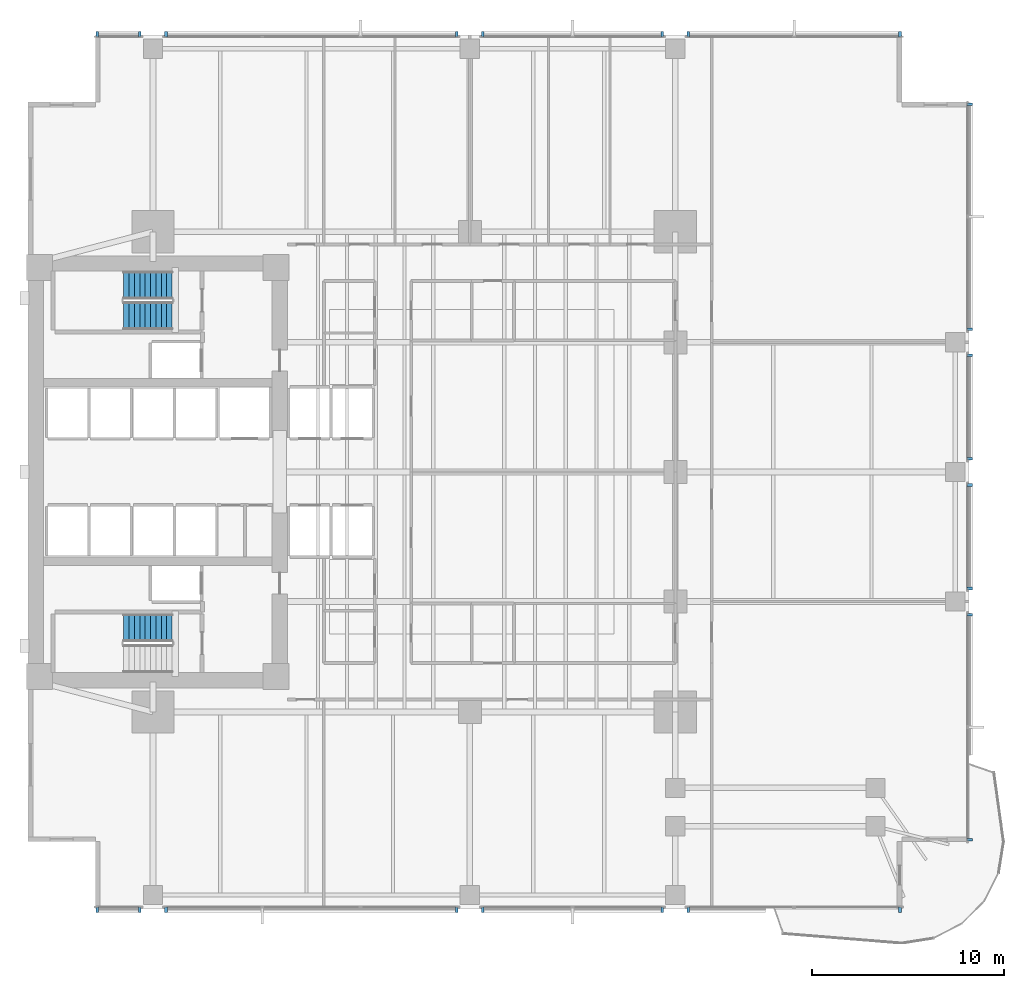
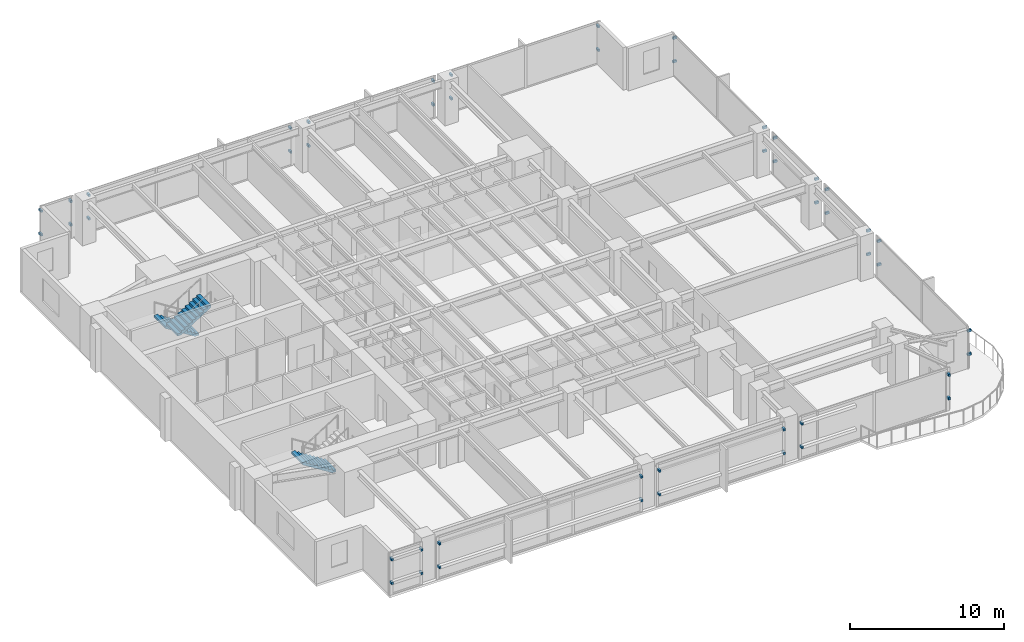
# One storey, part 11 of 15: 48 discrete accessories, 3 stair flights, 2 elements without a shape of their own.
"""IFC4 building model written with IfcOpenShell, lengths in metres."""

from ifc_helpers import new_model, si_unit, direction, frame, origin, origin_2d, place, context, subcontext, project, spatial, polyline, rectangle, outline, extrude, material, type_object, element, aggregate, save


model = new_model("IFC4")

# Units and contexts
model_context = context("Model", 3, precision=1e-05, world=origin(), true_north=direction((0.0, 1.0)))
body_context = subcontext(model_context, "Body", "Model", "MODEL_VIEW")
ifc_project = project(units=[si_unit("LENGTHUNIT", "METRE"), si_unit("AREAUNIT", "SQUARE_METRE"), si_unit("VOLUMEUNIT", "CUBIC_METRE"), si_unit("PLANEANGLEUNIT", "RADIAN"), si_unit("MASSUNIT", "GRAM", prefix="KILO")], contexts=[model_context])

# Site, building, storey
site_placement = place(None, origin())
site = spatial("IfcSite", under=ifc_project, at=site_placement, CompositionType="ELEMENT")
building_placement = place(site_placement, origin())
building = spatial("IfcBuilding", under=site, at=building_placement, Name="Kinhvarn Gate Tower", CompositionType="ELEMENT")
storey_placement = place(building_placement, frame((0.0, 0.0, 50.449951171875)))
storey = spatial("IfcBuildingStorey", under=building, at=storey_placement, Name="L12", CompositionType="ELEMENT", Elevation=50.449951171875)

# Stair, stair flight
ifc_material_1 = material(Name="Concrete C40/50", Category="concrete")
stair_type = type_object("IfcStairType", Name="STR-DLG-177", PredefinedType="HALF_TURN_STAIR", material=ifc_material_1)
stair_1_placement = place(storey_placement, origin())
stair_1 = element("IfcStair", 1, at=stair_1_placement, inside=storey, type_object=stair_type, Name="L12 Core Smokeproof Exit Stair ST1", PredefinedType="HALF_TURN_STAIR")
stair_flight_type = type_object("IfcStairFlightType", Name="STF-DLG-177", PredefinedType="STRAIGHT", material=ifc_material_1)
stair_flight_1_placement = place(storey_placement, frame((12.0, 17.125, 0.0), z_axis=(0.0, 0.0, 1.0), x_axis=(-1.0, 0.0, 0.0)))
stair_flight_1 = element("IfcStairFlight", 2, at=stair_flight_1_placement, type_object=stair_flight_type, Name="ST1 flight 1", NumberOfRisers=10, NumberOfTreads=9, PredefinedType="STRAIGHT", RiserHeight=0.1775, TreadLength=0.28, context=body_context, shape_type="SweptSolid", body=[
    extrude(outline(polyline([(0.0, 0.0), (0.0, 0.177490234375), (0.280029296875, 0.177490234375), (0.280029296875, 0.35498046875), (0.56005859375, 0.35498046875), (0.56005859375, 0.532470703125), (0.840087890625, 0.532470703125), (0.840087890625, 0.7099609375), (1.1201171875, 0.7099609375), (1.1201171875, 0.887451171875), (1.39990234375, 0.887451171875), (1.39990234375, 1.06494140625), (1.679931640625, 1.06494140625), (1.679931640625, 1.242431640625), (1.9599609375, 1.242431640625), (1.9599609375, 1.419921875), (2.239990234375, 1.419921875), (2.239990234375, 1.597412109375), (2.52001953125, 1.597412109375), (2.52001953125, 1.77490234375), (2.52001953125, 1.419921875), (0.280029296875, 0.0), (0.0, 0.0)])), frame((0.0, 0.72509765625, 0.0), z_axis=(0.0, -1.0, 0.0), x_axis=(1.0, 0.0, 0.0)), (0.0, 0.0, 1.0), 1.449951171875),
])
aggregate(stair_1, [stair_flight_1])

# Stair, stair flights
stair_2_placement = place(storey_placement, origin())
stair_2 = element("IfcStair", 3, at=stair_2_placement, inside=storey, type_object=stair_type, Name="L12 Core Smokeproof Exit Stair ST2", PredefinedType="HALF_TURN_STAIR")
stair_flight_2_placement = place(storey_placement, frame((12.0, 34.97509765625, 0.0), z_axis=(0.0, 0.0, 1.0), x_axis=(-1.0, 0.0, 0.0)))
stair_flight_2 = element("IfcStairFlight", 4, at=stair_flight_2_placement, type_object=stair_flight_type, Name="ST2 flight 1", NumberOfRisers=10, NumberOfTreads=9, PredefinedType="STRAIGHT", RiserHeight=0.1775, TreadLength=0.28, context=body_context, shape_type="SweptSolid", body=[
    extrude(outline(polyline([(0.0, 0.0), (0.0, 0.177490234375), (0.280029296875, 0.177490234375), (0.280029296875, 0.35498046875), (0.56005859375, 0.35498046875), (0.56005859375, 0.532470703125), (0.840087890625, 0.532470703125), (0.840087890625, 0.7099609375), (1.1201171875, 0.7099609375), (1.1201171875, 0.887451171875), (1.39990234375, 0.887451171875), (1.39990234375, 1.06494140625), (1.679931640625, 1.06494140625), (1.679931640625, 1.242431640625), (1.9599609375, 1.242431640625), (1.9599609375, 1.419921875), (2.239990234375, 1.419921875), (2.239990234375, 1.597412109375), (2.52001953125, 1.597412109375), (2.52001953125, 1.77490234375), (2.52001953125, 1.419921875), (0.280029296875, 0.0), (0.0, 0.0)])), frame((0.0, 0.72509765625, 0.0), z_axis=(0.0, -1.0, 0.0), x_axis=(1.0, 0.0, 0.0)), (0.0, 0.0, 1.0), 1.449951171875),
])
stair_flight_3_placement = place(storey_placement, frame((9.47998046875, 33.375, 1.775146484375), z_axis=(0.0, 0.0, 1.0), x_axis=(1.0, 0.0, 0.0)))
stair_flight_3 = element("IfcStairFlight", 5, at=stair_flight_3_placement, type_object=stair_flight_type, Name="ST2 flight 2", NumberOfRisers=10, NumberOfTreads=9, PredefinedType="STRAIGHT", RiserHeight=0.1775, TreadLength=0.28, context=body_context, shape_type="SweptSolid", body=[
    extrude(outline(polyline([(0.0, 0.0), (0.0, 0.177490234375), (0.280029296875, 0.177490234375), (0.280029296875, 0.35498046875), (0.56005859375, 0.35498046875), (0.56005859375, 0.532470703125), (0.840087890625, 0.532470703125), (0.840087890625, 0.7099609375), (1.1201171875, 0.7099609375), (1.1201171875, 0.887451171875), (1.39990234375, 0.887451171875), (1.39990234375, 1.06494140625), (1.679931640625, 1.06494140625), (1.679931640625, 1.242431640625), (1.9599609375, 1.242431640625), (1.9599609375, 1.419921875), (2.239990234375, 1.419921875), (2.239990234375, 1.597412109375), (2.52001953125, 1.597412109375), (2.52001953125, 1.77490234375), (2.52001953125, 1.419921875), (0.280029296875, 0.0), (0.0, 0.0)])), frame((0.0, 0.72509765625, 0.0), z_axis=(0.0, -1.0, 0.0), x_axis=(1.0, 0.0, 0.0)), (0.0, 0.0, 1.0), 1.449951171875),
])
aggregate(stair_2, [stair_flight_2, stair_flight_3])

# Discrete accessories
ifc_material_2 = material(Name="Anodised aluminium AW-6063", Category="aluminium")
discrete_accessory_type = type_object("IfcDiscreteAccessoryType", Name="ACC-BRK-01", PredefinedType="BRACKET", material=ifc_material_2)
for number, where, z_axis, x_axis, name in (
    (6, (8.10009765625, 2.4599609375, 0.9599609375), (0.0, 0.0, 1.0), (1.0, 0.0, 0.0), "Baguette Support Bracket BK-01 (L12)"),
    (7, (8.10009765625, 2.4599609375, 2.830078125), (0.0, 0.0, 1.0), (1.0, 0.0, 0.0), "Baguette Support Bracket BK-01 (L12)"),
    (8, (10.320068359375, 2.4599609375, 0.9599609375), (0.0, 0.0, 1.0), (1.0, 0.0, 0.0), "Baguette Support Bracket BK-01 (L12)"),
    (9, (10.320068359375, 2.4599609375, 2.830078125), (0.0, 0.0, 1.0), (1.0, 0.0, 0.0), "Baguette Support Bracket BK-01 (L12)"),
    (10, (11.679931640625, 2.4599609375, 0.9599609375), (0.0, 0.0, 1.0), (1.0, 0.0, 0.0), "Baguette Support Bracket BK-01 (L12)"),
    (11, (11.679931640625, 2.4599609375, 2.830078125), (0.0, 0.0, 1.0), (1.0, 0.0, 0.0), "Baguette Support Bracket BK-01 (L12)"),
    (12, (26.820068359375, 2.4599609375, 0.9599609375), (0.0, 0.0, 1.0), (1.0, 0.0, 0.0), "Baguette Support Bracket BK-01 (L12)"),
    (13, (26.820068359375, 2.4599609375, 2.830078125), (0.0, 0.0, 1.0), (1.0, 0.0, 0.0), "Baguette Support Bracket BK-01 (L12)"),
    (14, (28.179931640625, 2.4599609375, 0.9599609375), (0.0, 0.0, 1.0), (1.0, 0.0, 0.0), "Baguette Support Bracket BK-01 (L12)"),
    (15, (28.179931640625, 2.4599609375, 2.830078125), (0.0, 0.0, 1.0), (1.0, 0.0, 0.0), "Baguette Support Bracket BK-01 (L12)"),
    (16, (37.52001953125, 2.4599609375, 0.9599609375), (0.0, 0.0, 1.0), (1.0, 0.0, 0.0), "Baguette Support Bracket BK-01 (L12)"),
    (17, (37.52001953125, 2.4599609375, 2.830078125), (0.0, 0.0, 1.0), (1.0, 0.0, 0.0), "Baguette Support Bracket BK-01 (L12)"),
    (18, (38.8798828125, 2.4599609375, 0.9599609375), (0.0, 0.0, 1.0), (1.0, 0.0, 0.0), "Baguette Support Bracket BK-01 (L12)"),
    (19, (38.8798828125, 2.4599609375, 2.830078125), (0.0, 0.0, 1.0), (1.0, 0.0, 0.0), "Baguette Support Bracket BK-01 (L12)"),
    (20, (49.89990234375, 2.4599609375, 0.9599609375), (0.0, 0.0, 1.0), (1.0, 0.0, 0.0), "Baguette Support Bracket BK-01 (L12)"),
    (21, (49.89990234375, 2.4599609375, 2.830078125), (0.0, 0.0, 1.0), (1.0, 0.0, 0.0), "Baguette Support Bracket BK-01 (L12)"),
    (22, (49.89990234375, 48.0400390625, 0.9599609375), (0.0, 0.0, 1.0), (-1.0, 0.0, 0.0), "Baguette Support Bracket BK-01 (L12)"),
    (23, (49.89990234375, 48.0400390625, 2.830078125), (0.0, 0.0, 1.0), (-1.0, 0.0, 0.0), "Baguette Support Bracket BK-01 (L12)"),
    (24, (38.8798828125, 48.0400390625, 0.9599609375), (0.0, 0.0, 1.0), (-1.0, 0.0, 0.0), "Baguette Support Bracket BK-01 (L12)"),
    (25, (38.8798828125, 48.0400390625, 2.830078125), (0.0, 0.0, 1.0), (-1.0, 0.0, 0.0), "Baguette Support Bracket BK-01 (L12)"),
    (26, (37.52001953125, 48.0400390625, 0.9599609375), (0.0, 0.0, 1.0), (-1.0, 0.0, 0.0), "Baguette Support Bracket BK-01 (L12)"),
    (27, (37.52001953125, 48.0400390625, 2.830078125), (0.0, 0.0, 1.0), (-1.0, 0.0, 0.0), "Baguette Support Bracket BK-01 (L12)"),
    (28, (28.179931640625, 48.0400390625, 0.9599609375), (0.0, 0.0, 1.0), (-1.0, 0.0, 0.0), "Baguette Support Bracket BK-01 (L12)"),
    (29, (28.179931640625, 48.0400390625, 2.830078125), (0.0, 0.0, 1.0), (-1.0, 0.0, 0.0), "Baguette Support Bracket BK-01 (L12)"),
    (30, (26.820068359375, 48.0400390625, 0.9599609375), (0.0, 0.0, 1.0), (-1.0, 0.0, 0.0), "Baguette Support Bracket BK-01 (L12)"),
    (31, (26.820068359375, 48.0400390625, 2.830078125), (0.0, 0.0, 1.0), (-1.0, 0.0, 0.0), "Baguette Support Bracket BK-01 (L12)"),
    (32, (11.679931640625, 48.0400390625, 0.9599609375), (0.0, 0.0, 1.0), (-1.0, 0.0, 0.0), "Baguette Support Bracket BK-01 (L12)"),
    (33, (11.679931640625, 48.0400390625, 2.830078125), (0.0, 0.0, 1.0), (-1.0, 0.0, 0.0), "Baguette Support Bracket BK-01 (L12)"),
    (34, (10.320068359375, 48.0400390625, 0.9599609375), (0.0, 0.0, 1.0), (-1.0, 0.0, 0.0), "Baguette Support Bracket BK-01 (L12)"),
    (35, (10.320068359375, 48.0400390625, 2.830078125), (0.0, 0.0, 1.0), (-1.0, 0.0, 0.0), "Baguette Support Bracket BK-01 (L12)"),
    (36, (8.10009765625, 48.0400390625, 0.9599609375), (0.0, 0.0, 1.0), (-1.0, 0.0, 0.0), "Baguette Support Bracket BK-01 (L12)"),
    (37, (8.10009765625, 48.0400390625, 2.830078125), (0.0, 0.0, 1.0), (-1.0, 0.0, 0.0), "Baguette Support Bracket BK-01 (L12)"),
    (38, (53.5400390625, 6.10009765625, 0.9599609375), (0.0, 0.0, 1.0), (0.0, 1.0, 0.0), "Baguette Support Bracket BK-01 (L12)"),
    (39, (53.5400390625, 6.10009765625, 2.830078125), (0.0, 0.0, 1.0), (0.0, 1.0, 0.0), "Baguette Support Bracket BK-01 (L12)"),
    (40, (53.5400390625, 17.820068359375, 0.9599609375), (0.0, 0.0, 1.0), (0.0, 1.0, 0.0), "Baguette Support Bracket BK-01 (L12)"),
    (41, (53.5400390625, 17.820068359375, 2.830078125), (0.0, 0.0, 1.0), (0.0, 1.0, 0.0), "Baguette Support Bracket BK-01 (L12)"),
    (42, (53.5400390625, 19.179931640625, 0.9599609375), (0.0, 0.0, 1.0), (0.0, 1.0, 0.0), "Baguette Support Bracket BK-01 (L12)"),
    (43, (53.5400390625, 19.179931640625, 2.830078125), (0.0, 0.0, 1.0), (0.0, 1.0, 0.0), "Baguette Support Bracket BK-01 (L12)"),
    (44, (53.5400390625, 24.570068359375, 0.9599609375), (0.0, 0.0, 1.0), (0.0, 1.0, 0.0), "Baguette Support Bracket BK-01 (L12)"),
    (45, (53.5400390625, 24.570068359375, 2.830078125), (0.0, 0.0, 1.0), (0.0, 1.0, 0.0), "Baguette Support Bracket BK-01 (L12)"),
    (46, (53.5400390625, 25.929931640625, 0.9599609375), (0.0, 0.0, 1.0), (0.0, 1.0, 0.0), "Baguette Support Bracket BK-01 (L12)"),
    (47, (53.5400390625, 25.929931640625, 2.830078125), (0.0, 0.0, 1.0), (0.0, 1.0, 0.0), "Baguette Support Bracket BK-01 (L12)"),
    (48, (53.5400390625, 31.320068359375, 0.9599609375), (0.0, 0.0, 1.0), (0.0, 1.0, 0.0), "Baguette Support Bracket BK-01 (L12)"),
    (49, (53.5400390625, 31.320068359375, 2.830078125), (0.0, 0.0, 1.0), (0.0, 1.0, 0.0), "Baguette Support Bracket BK-01 (L12)"),
    (50, (53.5400390625, 32.679931640625, 0.9599609375), (0.0, 0.0, 1.0), (0.0, 1.0, 0.0), "Baguette Support Bracket BK-01 (L12)"),
    (51, (53.5400390625, 32.679931640625, 2.830078125), (0.0, 0.0, 1.0), (0.0, 1.0, 0.0), "Baguette Support Bracket BK-01 (L12)"),
    (52, (53.5400390625, 44.39990234375, 0.9599609375), (0.0, 0.0, 1.0), (0.0, 1.0, 0.0), "Baguette Support Bracket BK-01 (L12)"),
    (53, (53.5400390625, 44.39990234375, 2.830078125), (0.0, 0.0, 1.0), (0.0, 1.0, 0.0), "Baguette Support Bracket BK-01 (L12)"),
):
    element("IfcDiscreteAccessory", number, at=place(storey_placement, frame(where, z_axis=z_axis, x_axis=x_axis)), inside=storey, type_object=discrete_accessory_type, Name=name, PredefinedType="BRACKET", context=body_context, shape_type="SweptSolid", body=[
        extrude(rectangle(XDim=0.139892578125, YDim=0.280029296875, at=origin_2d()), origin(), (0.0, 0.0, 1.0), 0.179931640625),
    ])

save(model, "model.ifc")
